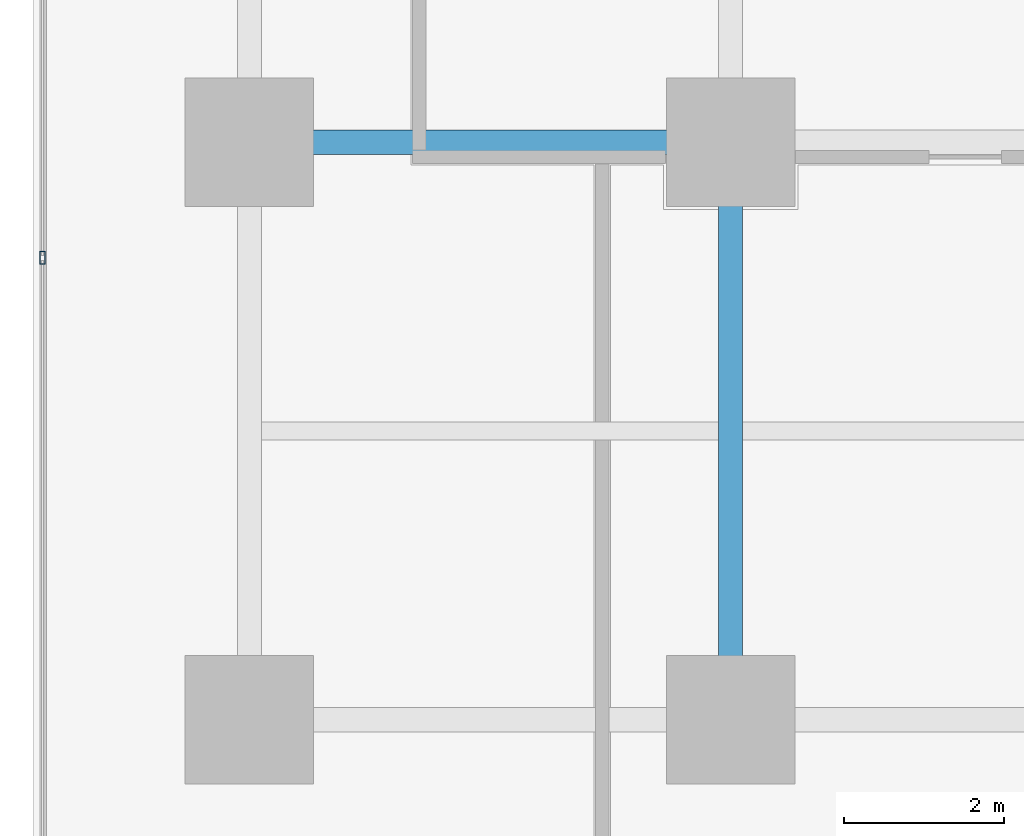
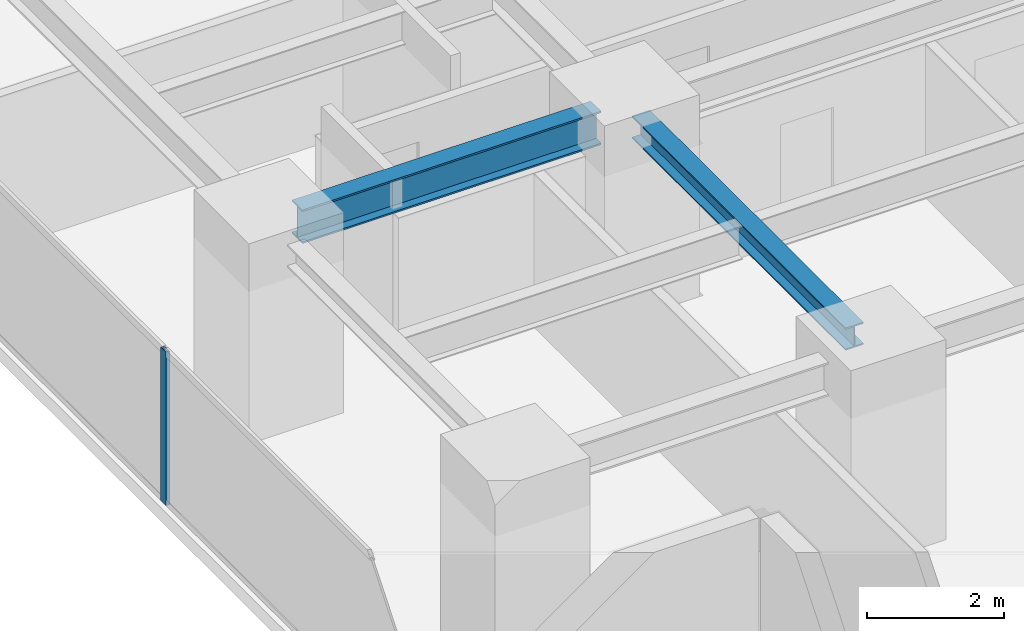
# One storey, part 4 of 34: 2 beams, 1 member, 1 element without a shape of its own.
"""IFC4 building model written with IfcOpenShell, lengths in metres."""

from ifc_helpers import new_model, si_unit, direction, frame, origin, origin_2d, place, context, subcontext, project, spatial, hollow_rectangle, i_section, extrude, source, transform, mapped, material, layer, layer_set, material_profile, profile_set, type_object, element, aggregate, save


model = new_model("IFC4")

# Units and contexts
model_context = context("Model", 3, precision=1e-05, world=origin(), true_north=direction((0.0, 1.0)))
body_context = subcontext(model_context, "Body", "Model", "MODEL_VIEW")
ifc_project = project(units=[si_unit("LENGTHUNIT", "METRE"), si_unit("AREAUNIT", "SQUARE_METRE"), si_unit("VOLUMEUNIT", "CUBIC_METRE"), si_unit("PLANEANGLEUNIT", "RADIAN"), si_unit("MASSUNIT", "GRAM", prefix="KILO")], contexts=[model_context])

# Site, building, storey
site_placement = place(None, origin())
site = spatial("IfcSite", under=ifc_project, at=site_placement, CompositionType="ELEMENT")
building_placement = place(site_placement, origin())
building = spatial("IfcBuilding", under=site, at=building_placement, Name="Sumidabori Civic Tower", CompositionType="ELEMENT")
storey_placement = place(building_placement, frame((0.0, 0.0, 106.39990234375)))
storey = spatial("IfcBuildingStorey", under=building, at=storey_placement, Name="L27", CompositionType="ELEMENT", Elevation=106.39990234375)

# Beams
ifc_material_1 = material(Name="Steel SN490", Category="steel")
ifc_material_profile_1 = material_profile(ifc_material_1, i_section(OverallWidth=0.300048828125, OverallDepth=0.60009765625, WebThickness=0.015380859375, FlangeThickness=0.030029296875, at=origin_2d()), Name="HE 600 B")
ifc_profile_set_1 = profile_set([ifc_material_profile_1], Name="Steel SN490")
beam_type_1 = type_object("IfcBeamType", Name="BM-GIRD-600", PredefinedType="BEAM", material=ifc_profile_set_1)
shared_shape_1 = source(origin(), body_context, "Body", "SweptSolid", [
    extrude(i_section(OverallWidth=0.300048828125, OverallDepth=0.60009765625, WebThickness=0.015380859375, FlangeThickness=0.030029296875, at=origin_2d()), origin(), (0.0, 0.0, 1.0), 5.0400390625),
])
beam_1_placement = place(storey_placement, frame((-22.320068359375, -10.800048828125, 3.06005859375), z_axis=(1.0, 0.0, 0.0), x_axis=(0.0, 1.0, 0.0)))
element("IfcBeam", 1, at=beam_1_placement, inside=storey, type_object=beam_type_1, Name="Primary Girder L27 GX-07", PredefinedType="BEAM", context=body_context, shape_type="MappedRepresentation", body=[
    mapped(shared_shape_1, transform((0.0, 0.0, 0.0), x_axis=(1.0, 0.0, 0.0), y_axis=(0.0, 1.0, 0.0), z_axis=(0.0, 0.0, 1.0), scale=1.0)),
])
ifc_material_profile_2 = material_profile(ifc_material_1, i_section(OverallWidth=0.300048828125, OverallDepth=0.39990234375, WebThickness=0.013427734375, FlangeThickness=0.02392578125, at=origin_2d()), Name="HE 400 B")
ifc_profile_set_2 = profile_set([ifc_material_profile_2], Name="Steel SN490")
beam_type_2 = type_object("IfcBeamType", Name="BM-GIRD-400", PredefinedType="BEAM", material=ifc_profile_set_2)
shared_shape_2 = source(origin(), body_context, "Body", "SweptSolid", [
    extrude(i_section(OverallWidth=0.300048828125, OverallDepth=0.39990234375, WebThickness=0.013427734375, FlangeThickness=0.02392578125, at=origin_2d()), origin(), (0.0, 0.0, 1.0), 6.239990234375),
])
beam_2_placement = place(storey_placement, frame((-16.800048828125, -17.52001953125, 3.16015625), z_axis=(0.0, 1.0, 0.0), x_axis=(-1.0, 0.0, 0.0)))
element("IfcBeam", 2, at=beam_2_placement, inside=storey, type_object=beam_type_2, Name="Primary Girder L27 GY-25", PredefinedType="BEAM", context=body_context, shape_type="MappedRepresentation", body=[
    mapped(shared_shape_2, transform((0.0, 0.0, 0.0), x_axis=(1.0, 0.0, 0.0), y_axis=(0.0, 1.0, 0.0), z_axis=(0.0, 0.0, 1.0), scale=1.0)),
])

# Curtain wall, member
ifc_material_2 = material(Name="Anodised Bronze Aluminium AW-6063-T6", Category="aluminium")
ifc_layer = layer(ifc_material_2, 0.179931640625, Name="Anodised Bronze Aluminium AW-6063-T6")
ifc_layer_set = layer_set([ifc_layer], Name="Anodised Bronze Aluminium AW-6063-T6")
curtain_wall_type = type_object("IfcCurtainWallType", Name="CW-SYS-3", PredefinedType="NOTDEFINED", material=ifc_layer_set)
curtain_wall_placement = place(storey_placement, origin())
curtain_wall = element("IfcCurtainWall", 3, at=curtain_wall_placement, inside=storey, type_object=curtain_wall_type, Name="Curtain Wall CW:L27:R10", PredefinedType="NOTDEFINED")
ifc_material_profile_3 = material_profile(ifc_material_2, hollow_rectangle(XDim=0.06494140625, YDim=0.159912109375, WallThickness=0.0048828125, at=origin_2d()), Name="ALU MULLION 160x65")
ifc_profile_set_3 = profile_set([ifc_material_profile_3], Name="Anodised Bronze Aluminium AW-6063-T6")
member_type = type_object("IfcMemberType", Name="CW-MUL-160", PredefinedType="MULLION", material=ifc_profile_set_3)
shared_shape_3 = source(origin(), body_context, "Body", "SweptSolid", [
    extrude(hollow_rectangle(XDim=0.06494140625, YDim=0.159912109375, WallThickness=0.0048828125, at=origin_2d()), origin(), (0.0, 0.0, 1.0), 2.739990234375),
])
member_placement = place(storey_placement, frame((-25.3798828125, -12.241943359375, 0.0), z_axis=(0.0, 0.0, 1.0), x_axis=(1.0, 0.0, 0.0)))
member = element("IfcMember", 4, at=member_placement, type_object=member_type, Name="CW-3 mullion 5", PredefinedType="MULLION", context=body_context, shape_type="MappedRepresentation", body=[
    mapped(shared_shape_3, transform((0.0, 0.0, 0.0), x_axis=(1.0, 0.0, 0.0), y_axis=(0.0, 1.0, 0.0), z_axis=(0.0, 0.0, 1.0), scale=1.0)),
])
aggregate(curtain_wall, [member])

save(model, "model.ifc")
